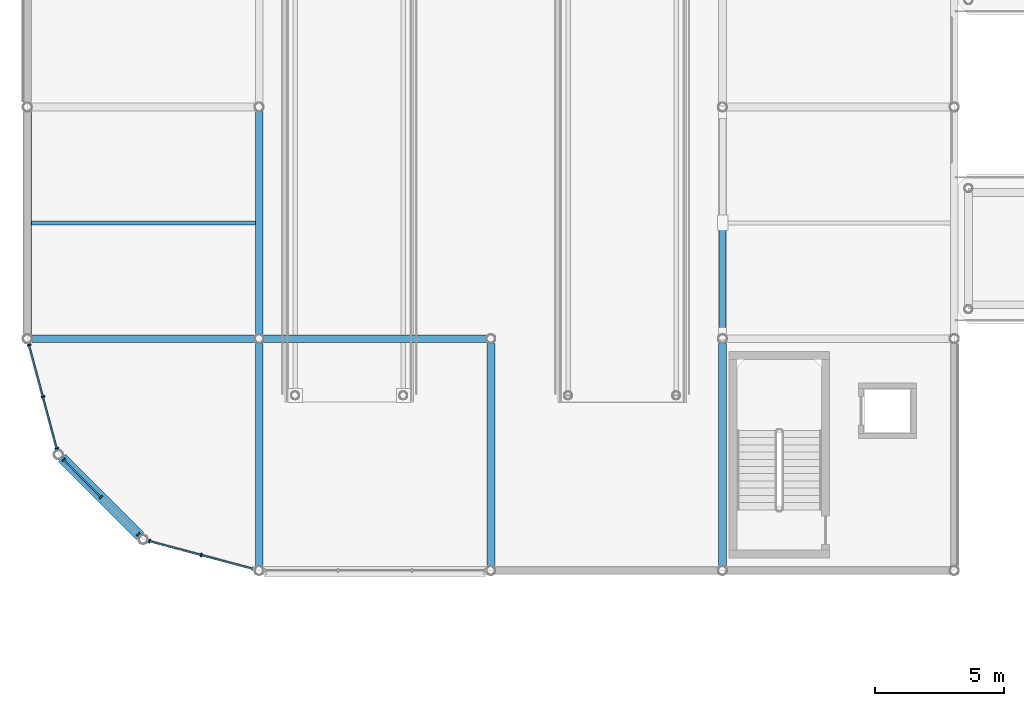
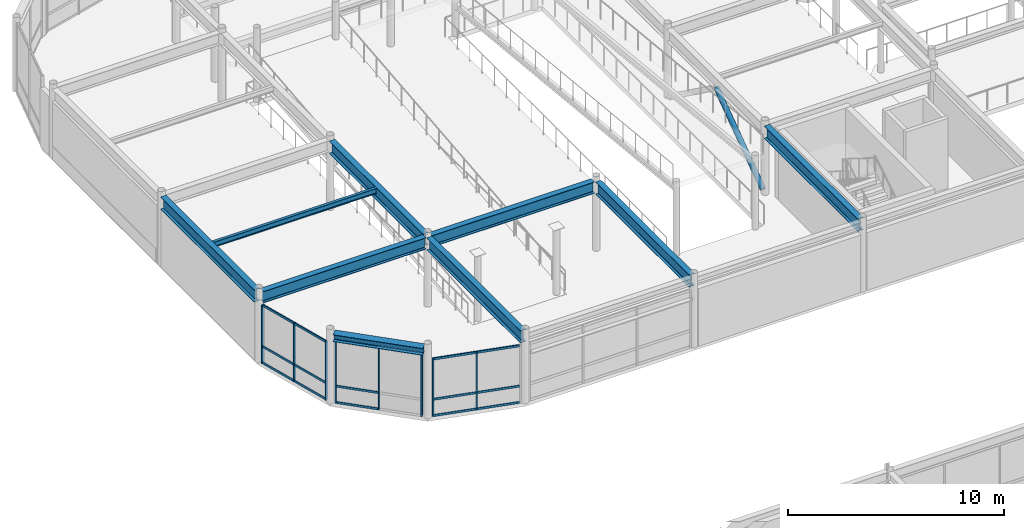
# One storey, part 34 of 108: 24 members, 9 beams, 3 elements without a shape of their own.
"""IFC4 building model written with IfcOpenShell, lengths in metres."""

from ifc_helpers import new_model, si_unit, direction, frame, origin, origin_2d, place, context, subcontext, project, spatial, rectangle, hollow_circle, i_section, extrude, material, material_profile, profile_set, type_object, element, aggregate, save


model = new_model("IFC4")

# Units and contexts
model_context = context("Model", 3, precision=1e-05, world=origin(), true_north=direction((0.0, 1.0)))
body_context = subcontext(model_context, "Body", "Model", "MODEL_VIEW")
ifc_project = project(units=[si_unit("LENGTHUNIT", "METRE"), si_unit("AREAUNIT", "SQUARE_METRE"), si_unit("VOLUMEUNIT", "CUBIC_METRE"), si_unit("PLANEANGLEUNIT", "RADIAN"), si_unit("MASSUNIT", "GRAM", prefix="KILO")], contexts=[model_context])

# Site, building, storey
site_placement = place(None, origin())
site = spatial("IfcSite", under=ifc_project, at=site_placement, CompositionType="ELEMENT")
building_placement = place(site_placement, origin())
building = spatial("IfcBuilding", under=site, at=building_placement, Name="Suzunagisa Mobility Hub", CompositionType="ELEMENT")
storey_placement = place(building_placement, frame((0.0, 0.0, 9.300048828125)))
storey = spatial("IfcBuildingStorey", under=building, at=storey_placement, Name="L02", CompositionType="ELEMENT", Elevation=9.300048828125)

# Curtain wall, members
ifc_material_1 = material(Name="Thermally Broken Anodized Aluminum and Low-E Glazing", Category="aluminium")
curtain_wall_type_1 = type_object("IfcCurtainWallType", Name="Unitised Curtain Wall CW-06 4250x3300", PredefinedType="USERDEFINED", material=ifc_material_1)
curtain_wall_1_placement = place(storey_placement, origin())
curtain_wall_1 = element("IfcCurtainWall", 1, at=curtain_wall_1_placement, inside=storey, type_object=curtain_wall_type_1, Name="L02 Unitised Curtain Wall CW-63", ObjectType="UNITISED CURTAIN WALL", PredefinedType="USERDEFINED")
ifc_material_2 = material(Name="Anodized Aluminum 6063-T6", Category="aluminium")
ifc_material_profile_1 = material_profile(ifc_material_2, rectangle(XDim=0.06005859375, YDim=0.1201171875, at=origin_2d()), Name="TRAN-60x120")
ifc_profile_set_1 = profile_set([ifc_material_profile_1], Name="Anodized Aluminum 6063-T6")
member_type_1 = type_object("IfcMemberType", Name="Curtain Wall Framing CM-02 TRAN-60x120", PredefinedType="USERDEFINED", material=ifc_profile_set_1)
member_1_placement = place(storey_placement, frame((0.0712890625, 88.733642578125, 0.030029296875), z_axis=(0.258892720742, -0.965906081949, 0.0), x_axis=(0.965906081949, 0.258892720742, 0.0)))
member_1 = element("IfcMember", 2, at=member_1_placement, type_object=member_type_1, Name="Curtain Wall Transom 63-T1.1", ObjectType="TRANSOM", PredefinedType="USERDEFINED", context=body_context, shape_type="SweptSolid", body=[
    extrude(rectangle(XDim=0.06005859375, YDim=0.1201171875, at=origin_2d()), origin(), (0.0, 0.0, 1.0), 2.025634765625),
])
member_2_placement = place(storey_placement, frame((0.0712890625, 88.733642578125, 0.949951171875), z_axis=(0.258892720742, -0.965906081949, 0.0), x_axis=(0.965906081949, 0.258892720742, 0.0)))
member_2 = element("IfcMember", 3, at=member_2_placement, type_object=member_type_1, Name="Curtain Wall Transom 63-T1.2", ObjectType="TRANSOM", PredefinedType="USERDEFINED", context=body_context, shape_type="SweptSolid", body=[
    extrude(rectangle(XDim=0.06005859375, YDim=0.1201171875, at=origin_2d()), origin(), (0.0, 0.0, 1.0), 2.025634765625),
])
member_3_placement = place(storey_placement, frame((0.0712890625, 88.733642578125, 3.27001953125), z_axis=(0.258892720742, -0.965906081949, 0.0), x_axis=(0.965906081949, 0.258892720742, 0.0)))
member_3 = element("IfcMember", 4, at=member_3_placement, type_object=member_type_1, Name="Curtain Wall Transom 63-T1.3", ObjectType="TRANSOM", PredefinedType="USERDEFINED", context=body_context, shape_type="SweptSolid", body=[
    extrude(rectangle(XDim=0.06005859375, YDim=0.1201171875, at=origin_2d()), origin(), (0.0, 0.0, 1.0), 2.025634765625),
])
member_4_placement = place(storey_placement, frame((0.610107421875, 86.722900390625, 0.030029296875), z_axis=(0.258892720742, -0.965906081949, 0.0), x_axis=(0.965906081949, 0.258892720742, 0.0)))
member_4 = element("IfcMember", 5, at=member_4_placement, type_object=member_type_1, Name="Curtain Wall Transom 63-T2.1", ObjectType="TRANSOM", PredefinedType="USERDEFINED", context=body_context, shape_type="SweptSolid", body=[
    extrude(rectangle(XDim=0.06005859375, YDim=0.1201171875, at=origin_2d()), origin(), (0.0, 0.0, 1.0), 2.025634765625),
])
member_5_placement = place(storey_placement, frame((0.610107421875, 86.722900390625, 0.949951171875), z_axis=(0.258892720742, -0.965906081949, 0.0), x_axis=(0.965906081949, 0.258892720742, 0.0)))
member_5 = element("IfcMember", 6, at=member_5_placement, type_object=member_type_1, Name="Curtain Wall Transom 63-T2.2", ObjectType="TRANSOM", PredefinedType="USERDEFINED", context=body_context, shape_type="SweptSolid", body=[
    extrude(rectangle(XDim=0.06005859375, YDim=0.1201171875, at=origin_2d()), origin(), (0.0, 0.0, 1.0), 2.025634765625),
])
member_6_placement = place(storey_placement, frame((0.610107421875, 86.722900390625, 3.27001953125), z_axis=(0.258892720742, -0.965906081949, 0.0), x_axis=(0.965906081949, 0.258892720742, 0.0)))
member_6 = element("IfcMember", 7, at=member_6_placement, type_object=member_type_1, Name="Curtain Wall Transom 63-T2.3", ObjectType="TRANSOM", PredefinedType="USERDEFINED", context=body_context, shape_type="SweptSolid", body=[
    extrude(rectangle(XDim=0.06005859375, YDim=0.1201171875, at=origin_2d()), origin(), (0.0, 0.0, 1.0), 2.025634765625),
])

curtain_wall_type_2 = type_object("IfcCurtainWallType", Name="Unitised Curtain Wall CW-44 4250x3600", PredefinedType="USERDEFINED", material=ifc_material_1)
curtain_wall_2_placement = place(storey_placement, origin())
curtain_wall_2 = element("IfcCurtainWall", 8, at=curtain_wall_2_placement, inside=storey, type_object=curtain_wall_type_2, Name="L02 Unitised Curtain Wall CW-64", ObjectType="UNITISED CURTAIN WALL", PredefinedType="USERDEFINED")
member_7_placement = place(storey_placement, frame((1.424560546875, 84.28125, 0.030029296875), z_axis=(0.707106781187, -0.707106781187, 0.0), x_axis=(0.707106781187, 0.707106781187, 0.0)))
member_7 = element("IfcMember", 9, at=member_7_placement, type_object=member_type_1, Name="Curtain Wall Transom 64-T1.1", ObjectType="TRANSOM", PredefinedType="USERDEFINED", context=body_context, shape_type="SweptSolid", body=[
    extrude(rectangle(XDim=0.06005859375, YDim=0.1201171875, at=origin_2d()), origin(), (0.0, 0.0, 1.0), 1.991943359375),
])
member_8_placement = place(storey_placement, frame((1.424560546875, 84.28125, 0.949951171875), z_axis=(0.707106781187, -0.707106781187, 0.0), x_axis=(0.707106781187, 0.707106781187, 0.0)))
member_8 = element("IfcMember", 10, at=member_8_placement, type_object=member_type_1, Name="Curtain Wall Transom 64-T1.2", ObjectType="TRANSOM", PredefinedType="USERDEFINED", context=body_context, shape_type="SweptSolid", body=[
    extrude(rectangle(XDim=0.06005859375, YDim=0.1201171875, at=origin_2d()), origin(), (0.0, 0.0, 1.0), 1.991943359375),
])
member_9_placement = place(storey_placement, frame((1.424560546875, 84.28125, 3.52001953125), z_axis=(0.707106781187, -0.707106781187, 0.0), x_axis=(0.707106781187, 0.707106781187, 0.0)))
member_9 = element("IfcMember", 11, at=member_9_placement, type_object=member_type_1, Name="Curtain Wall Transom 64-T1.3", ObjectType="TRANSOM", PredefinedType="USERDEFINED", context=body_context, shape_type="SweptSolid", body=[
    extrude(rectangle(XDim=0.06005859375, YDim=0.1201171875, at=origin_2d()), origin(), (0.0, 0.0, 1.0), 1.991943359375),
])

curtain_wall_type_3 = type_object("IfcCurtainWallType", Name="Unitised Curtain Wall CW-01 4250x3200", PredefinedType="USERDEFINED", material=ifc_material_1)
curtain_wall_3_placement = place(storey_placement, origin())
curtain_wall_3 = element("IfcCurtainWall", 12, at=curtain_wall_3_placement, inside=storey, type_object=curtain_wall_type_3, Name="L02 Unitised Curtain Wall CW-65", ObjectType="UNITISED CURTAIN WALL", PredefinedType="USERDEFINED")
member_10_placement = place(storey_placement, frame((4.766357421875, 81.134521484375, 0.030029296875), z_axis=(0.965906081949, -0.258892720742, 0.0), x_axis=(0.258892720742, 0.965906081949, 0.0)))
member_10 = element("IfcMember", 13, at=member_10_placement, type_object=member_type_1, Name="Curtain Wall Transom 65-T1.1", ObjectType="TRANSOM", PredefinedType="USERDEFINED", context=body_context, shape_type="SweptSolid", body=[
    extrude(rectangle(XDim=0.06005859375, YDim=0.1201171875, at=origin_2d()), origin(), (0.0, 0.0, 1.0), 2.025634765625),
])
member_11_placement = place(storey_placement, frame((4.766357421875, 81.134521484375, 0.949951171875), z_axis=(0.965906081949, -0.258892720742, 0.0), x_axis=(0.258892720742, 0.965906081949, 0.0)))
member_11 = element("IfcMember", 14, at=member_11_placement, type_object=member_type_1, Name="Curtain Wall Transom 65-T1.2", ObjectType="TRANSOM", PredefinedType="USERDEFINED", context=body_context, shape_type="SweptSolid", body=[
    extrude(rectangle(XDim=0.06005859375, YDim=0.1201171875, at=origin_2d()), origin(), (0.0, 0.0, 1.0), 2.025634765625),
])
member_12_placement = place(storey_placement, frame((4.766357421875, 81.134521484375, 3.219970703125), z_axis=(0.965906081949, -0.258892720742, 0.0), x_axis=(0.258892720742, 0.965906081949, 0.0)))
member_12 = element("IfcMember", 15, at=member_12_placement, type_object=member_type_1, Name="Curtain Wall Transom 65-T1.3", ObjectType="TRANSOM", PredefinedType="USERDEFINED", context=body_context, shape_type="SweptSolid", body=[
    extrude(rectangle(XDim=0.06005859375, YDim=0.1201171875, at=origin_2d()), origin(), (0.0, 0.0, 1.0), 2.025634765625),
])
member_13_placement = place(storey_placement, frame((6.777099609375, 80.595703125, 0.030029296875), z_axis=(0.965906081949, -0.258892720742, 0.0), x_axis=(0.258892720742, 0.965906081949, 0.0)))
member_13 = element("IfcMember", 16, at=member_13_placement, type_object=member_type_1, Name="Curtain Wall Transom 65-T2.1", ObjectType="TRANSOM", PredefinedType="USERDEFINED", context=body_context, shape_type="SweptSolid", body=[
    extrude(rectangle(XDim=0.06005859375, YDim=0.1201171875, at=origin_2d()), origin(), (0.0, 0.0, 1.0), 2.025634765625),
])
member_14_placement = place(storey_placement, frame((6.777099609375, 80.595703125, 0.949951171875), z_axis=(0.965906081949, -0.258892720742, 0.0), x_axis=(0.258892720742, 0.965906081949, 0.0)))
member_14 = element("IfcMember", 17, at=member_14_placement, type_object=member_type_1, Name="Curtain Wall Transom 65-T2.2", ObjectType="TRANSOM", PredefinedType="USERDEFINED", context=body_context, shape_type="SweptSolid", body=[
    extrude(rectangle(XDim=0.06005859375, YDim=0.1201171875, at=origin_2d()), origin(), (0.0, 0.0, 1.0), 2.025634765625),
])
member_15_placement = place(storey_placement, frame((6.777099609375, 80.595703125, 3.219970703125), z_axis=(0.965906081949, -0.258892720742, 0.0), x_axis=(0.258892720742, 0.965906081949, 0.0)))
member_15 = element("IfcMember", 18, at=member_15_placement, type_object=member_type_1, Name="Curtain Wall Transom 65-T2.3", ObjectType="TRANSOM", PredefinedType="USERDEFINED", context=body_context, shape_type="SweptSolid", body=[
    extrude(rectangle(XDim=0.06005859375, YDim=0.1201171875, at=origin_2d()), origin(), (0.0, 0.0, 1.0), 2.025634765625),
])

# Member
ifc_material_profile_2 = material_profile(ifc_material_2, rectangle(XDim=0.06005859375, YDim=0.14990234375, at=origin_2d()), Name="MULL-60x150")
ifc_profile_set_2 = profile_set([ifc_material_profile_2], Name="Anodized Aluminum 6063-T6")
member_type_2 = type_object("IfcMemberType", Name="Curtain Wall Framing CM-03 MULL-60x150", PredefinedType="MULLION", material=ifc_profile_set_2)
member_16_placement = place(storey_placement, frame((0.064208984375, 88.7607421875, 0.0), z_axis=(0.0, 0.0, 1.0), x_axis=(0.258803152984, -0.965930084429, 0.0)))
member_16 = element("IfcMember", 19, at=member_16_placement, type_object=member_type_2, Name="Curtain Wall Mullion 63-M1", PredefinedType="MULLION", context=body_context, shape_type="SweptSolid", body=[
    extrude(rectangle(XDim=0.06005859375, YDim=0.14990234375, at=origin_2d()), origin(), (0.0, 0.0, 1.0), 3.300048828125),
])

member_17_placement = place(storey_placement, frame((0.602783203125, 86.75, 0.0), z_axis=(0.0, 0.0, 1.0), x_axis=(0.258803152984, -0.965930084429, 0.0)))
member_17 = element("IfcMember", 20, at=member_17_placement, type_object=member_type_2, Name="Curtain Wall Mullion 63-M2", PredefinedType="MULLION", context=body_context, shape_type="SweptSolid", body=[
    extrude(rectangle(XDim=0.06005859375, YDim=0.14990234375, at=origin_2d()), origin(), (0.0, 0.0, 1.0), 3.300048828125),
])

member_18_placement = place(storey_placement, frame((1.1416015625, 84.7392578125, 0.0), z_axis=(0.0, 0.0, 1.0), x_axis=(0.258803152984, -0.965930084429, 0.0)))
member_18 = element("IfcMember", 21, at=member_18_placement, type_object=member_type_2, Name="Curtain Wall Mullion 63-M3", PredefinedType="MULLION", context=body_context, shape_type="SweptSolid", body=[
    extrude(rectangle(XDim=0.06005859375, YDim=0.14990234375, at=origin_2d()), origin(), (0.0, 0.0, 1.0), 3.300048828125),
])

aggregate(curtain_wall_1, [member_16, member_17, member_18, member_1, member_2, member_3, member_4, member_5, member_6])

member_19_placement = place(storey_placement, frame((1.40478515625, 84.301025390625, 0.0), z_axis=(0.0, 0.0, 1.0), x_axis=(0.707106781187, -0.707106781187, 0.0)))
member_19 = element("IfcMember", 22, at=member_19_placement, type_object=member_type_2, Name="Curtain Wall Mullion 64-M1", PredefinedType="MULLION", context=body_context, shape_type="SweptSolid", body=[
    extrude(rectangle(XDim=0.06005859375, YDim=0.14990234375, at=origin_2d()), origin(), (0.0, 0.0, 1.0), 3.550048828125),
])

member_20_placement = place(storey_placement, frame((2.852783203125, 82.852783203125, 0.0), z_axis=(0.0, 0.0, 1.0), x_axis=(0.707106781187, -0.707106781187, 0.0)))
member_20 = element("IfcMember", 23, at=member_20_placement, type_object=member_type_2, Name="Curtain Wall Mullion 64-M2", PredefinedType="MULLION", context=body_context, shape_type="SweptSolid", body=[
    extrude(rectangle(XDim=0.06005859375, YDim=0.14990234375, at=origin_2d()), origin(), (0.0, 0.0, 1.0), 3.550048828125),
])

member_21_placement = place(storey_placement, frame((4.301025390625, 81.40478515625, 0.0), z_axis=(0.0, 0.0, 1.0), x_axis=(0.707106781187, -0.707106781187, 0.0)))
member_21 = element("IfcMember", 24, at=member_21_placement, type_object=member_type_2, Name="Curtain Wall Mullion 64-M3", PredefinedType="MULLION", context=body_context, shape_type="SweptSolid", body=[
    extrude(rectangle(XDim=0.06005859375, YDim=0.14990234375, at=origin_2d()), origin(), (0.0, 0.0, 1.0), 3.550048828125),
])

aggregate(curtain_wall_2, [member_19, member_20, member_21, member_7, member_8, member_9])

member_22_placement = place(storey_placement, frame((4.7392578125, 81.1416015625, 0.0), z_axis=(0.0, 0.0, 1.0), x_axis=(0.965930084429, -0.258803152984, 0.0)))
member_22 = element("IfcMember", 25, at=member_22_placement, type_object=member_type_2, Name="Curtain Wall Mullion 65-M1", PredefinedType="MULLION", context=body_context, shape_type="SweptSolid", body=[
    extrude(rectangle(XDim=0.06005859375, YDim=0.14990234375, at=origin_2d()), origin(), (0.0, 0.0, 1.0), 3.25),
])

member_23_placement = place(storey_placement, frame((6.75, 80.602783203125, 0.0), z_axis=(0.0, 0.0, 1.0), x_axis=(0.965930084429, -0.258803152984, 0.0)))
member_23 = element("IfcMember", 26, at=member_23_placement, type_object=member_type_2, Name="Curtain Wall Mullion 65-M2", PredefinedType="MULLION", context=body_context, shape_type="SweptSolid", body=[
    extrude(rectangle(XDim=0.06005859375, YDim=0.14990234375, at=origin_2d()), origin(), (0.0, 0.0, 1.0), 3.25),
])

aggregate(curtain_wall_3, [member_22, member_23, member_10, member_11, member_12, member_13, member_14, member_15])

ifc_material_3 = material(Name="Steel SN490B", Category="steel")
ifc_material_profile_3 = material_profile(ifc_material_3, hollow_circle(Radius=0.1337890625, WallThickness=0.00927734375, at=origin_2d()), Name="CHS-267.4x9.3")
ifc_profile_set_3 = profile_set([ifc_material_profile_3], Name="Steel SN490B")
member_type_3 = type_object("IfcMemberType", Name="Roof Truss and Brace Member MB-06 CHS-267.4x9.3", PredefinedType="BRACE", material=ifc_profile_set_3)
member_24_placement = place(storey_placement, frame((27.0, 89.19775390625, 0.119873046875), z_axis=(0.0, 0.809893183997, 0.586577386639), x_axis=(-1.0, 0.0, 0.0)))
element("IfcMember", 27, at=member_24_placement, inside=storey, type_object=member_type_3, Name="L02 Concentric Lateral Brace BR-23", PredefinedType="BRACE", context=body_context, shape_type="SweptSolid", body=[
    extrude(hollow_circle(Radius=0.1337890625, WallThickness=0.00927734375, at=origin_2d()), origin(), (0.0, 0.0, 1.0), 5.31201171875),
])

# Beams
ifc_material_profile_4 = material_profile(ifc_material_3, i_section(OverallWidth=0.300048828125, OverallDepth=0.64990234375, WebThickness=0.012939453125, FlangeThickness=0.02197265625, FilletRadius=0.01611328125, at=origin_2d()), Name="H-650x300x13x22")
ifc_profile_set_4 = profile_set([ifc_material_profile_4], Name="Steel SN490B")
beam_type_1 = type_object("IfcBeamType", Name="Steel Beam BM-10 H-650x300x13x22", PredefinedType="BEAM", material=ifc_profile_set_4)
for number, where, z_axis, x_axis, name in (
    (28, (0.173828125, 89.0, 3.625), (1.0, 0.0, 0.0), (0.0, 1.0, 0.0), "L02 Primary Girder GX-523"),
    (29, (9.173828125, 89.0, 3.625), (1.0, 0.0, 0.0), (0.0, 1.0, 0.0), "L02 Primary Girder GX-524"),
):
    element("IfcBeam", number, at=place(storey_placement, frame(where, z_axis=z_axis, x_axis=x_axis)), inside=storey, type_object=beam_type_1, Name=name, PredefinedType="BEAM", context=body_context, shape_type="SweptSolid", body=[
        extrude(i_section(OverallWidth=0.300048828125, OverallDepth=0.64990234375, WebThickness=0.012939453125, FlangeThickness=0.02197265625, FilletRadius=0.01611328125, at=origin_2d()), origin(), (0.0, 0.0, 1.0), 8.65234375),
    ])
ifc_material_profile_5 = material_profile(ifc_material_3, i_section(OverallWidth=0.300048828125, OverallDepth=0.699951171875, WebThickness=0.012939453125, FlangeThickness=0.02392578125, FilletRadius=0.01806640625, at=origin_2d()), Name="H-700x300x13x24")
ifc_profile_set_5 = profile_set([ifc_material_profile_5], Name="Steel SN490B")
beam_type_2 = type_object("IfcBeamType", Name="Steel Beam BM-11 H-700x300x13x24", PredefinedType="BEAM", material=ifc_profile_set_5)
for number, where, z_axis, x_axis, name in (
    (30, (0.0, 89.173828125, 3.599853515625), (0.0, 1.0, 0.0), (-1.0, 0.0, 0.0), "L02 Primary Girder GY-533"),
    (31, (9.0, 80.173828125, 3.599853515625), (0.0, 1.0, 0.0), (-1.0, 0.0, 0.0), "L02 Primary Girder GY-535"),
    (32, (9.0, 89.173828125, 3.599853515625), (0.0, 1.0, 0.0), (-1.0, 0.0, 0.0), "L02 Primary Girder GY-536"),
    (33, (18.0, 80.173828125, 3.599853515625), (0.0, 1.0, 0.0), (-1.0, 0.0, 0.0), "L02 Primary Girder GY-539"),
    (34, (27.0, 80.173828125, 3.599853515625), (0.0, 1.0, 0.0), (-1.0, 0.0, 0.0), "L02 Primary Girder GY-540"),
):
    element("IfcBeam", number, at=place(storey_placement, frame(where, z_axis=z_axis, x_axis=x_axis)), inside=storey, type_object=beam_type_2, Name=name, PredefinedType="BEAM", context=body_context, shape_type="SweptSolid", body=[
        extrude(i_section(OverallWidth=0.300048828125, OverallDepth=0.699951171875, WebThickness=0.012939453125, FlangeThickness=0.02392578125, FilletRadius=0.01806640625, at=origin_2d()), origin(), (0.0, 0.0, 1.0), 8.65234375),
    ])
ifc_material_profile_6 = material_profile(ifc_material_3, i_section(OverallWidth=0.39990234375, OverallDepth=0.39990234375, WebThickness=0.012939453125, FlangeThickness=0.02099609375, FilletRadius=0.01611328125, at=origin_2d()), Name="H-400x400x13x21")
ifc_profile_set_6 = profile_set([ifc_material_profile_6], Name="Steel SN490B")
beam_type_3 = type_object("IfcBeamType", Name="Steel Beam BM-12 H-400x400x13x21", PredefinedType="SPANDREL", material=ifc_profile_set_6)
beam_1_placement = place(storey_placement, frame((1.33154296875, 84.374267578125, 3.75), z_axis=(0.707106781187, -0.707106781187, 0.0), x_axis=(0.707106781187, 0.707106781187, 0.0)))
element("IfcBeam", 35, at=beam_1_placement, inside=storey, type_object=beam_type_3, Name="L02 Streamline Prow Spandrel 548", PredefinedType="SPANDREL", context=body_context, shape_type="SweptSolid", body=[
    extrude(i_section(OverallWidth=0.39990234375, OverallDepth=0.39990234375, WebThickness=0.012939453125, FlangeThickness=0.02099609375, FilletRadius=0.01611328125, at=origin_2d()), origin(), (0.0, 0.0, 1.0), 4.302978515625),
])
ifc_material_4 = material(Name="Steel SN400B", Category="steel")
ifc_material_profile_7 = material_profile(ifc_material_4, i_section(OverallWidth=0.14990234375, OverallDepth=0.300048828125, WebThickness=0.006591796875, FlangeThickness=0.009033203125, FilletRadius=0.008056640625, at=origin_2d()), Name="H-300x150x6.5x9")
ifc_profile_set_7 = profile_set([ifc_material_profile_7], Name="Steel SN400B")
beam_type_4 = type_object("IfcBeamType", Name="Steel Beam BM-24 H-300x150x6.5x9", PredefinedType="JOIST", material=ifc_profile_set_7)
beam_2_placement = place(storey_placement, frame((0.14990234375, 93.5, 3.800048828125), z_axis=(1.0, 0.0, 0.0), x_axis=(0.0, 1.0, 0.0)))
element("IfcBeam", 36, at=beam_2_placement, inside=storey, type_object=beam_type_4, Name="L02 Composite Floor Joist J-550", PredefinedType="JOIST", context=body_context, shape_type="SweptSolid", body=[
    extrude(i_section(OverallWidth=0.14990234375, OverallDepth=0.300048828125, WebThickness=0.006591796875, FlangeThickness=0.009033203125, FilletRadius=0.008056640625, at=origin_2d()), origin(), (0.0, 0.0, 1.0), 8.7001953125),
])

save(model, "model.ifc")
